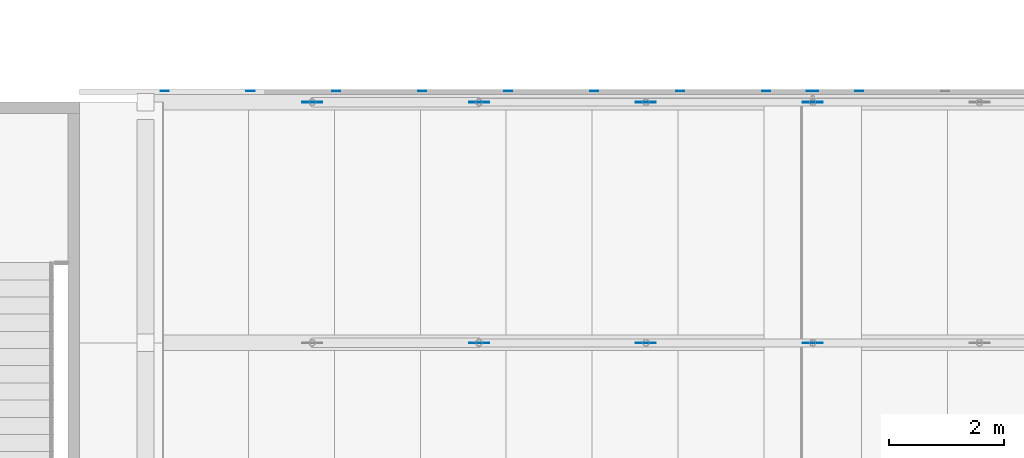
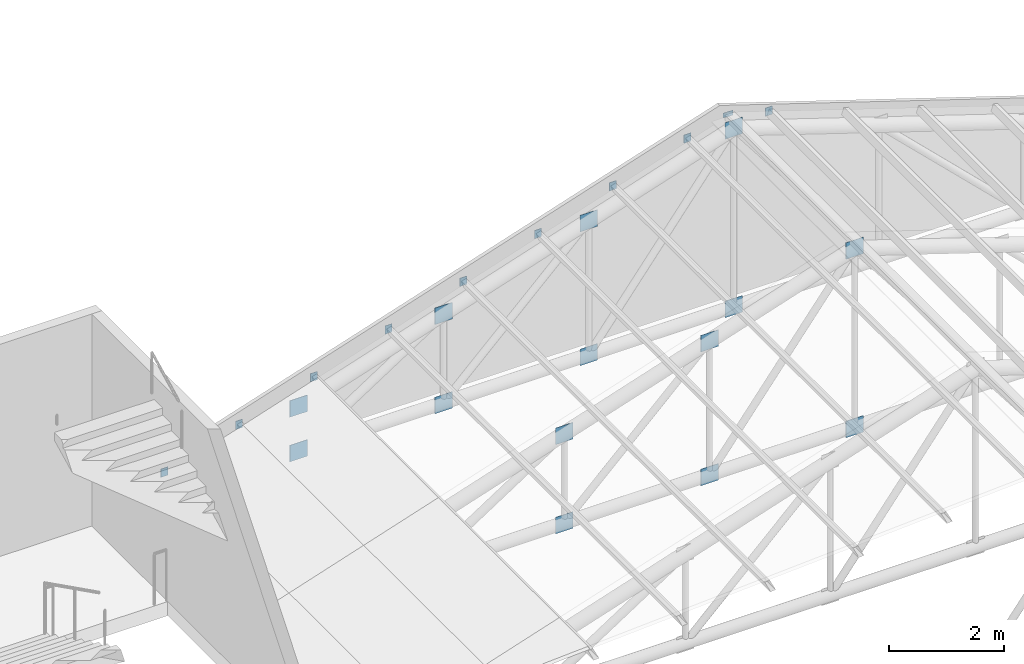
# One storey, part 78 of 95: 24 plates.
"""IFC4 building model written with IfcOpenShell, lengths in metres."""

from ifc_helpers import new_model, si_unit, direction, frame, origin, origin_2d, place, context, subcontext, project, spatial, rectangle, extrude, material, layer, layer_set, type_object, element, save


model = new_model("IFC4")

# Units and contexts
model_context = context("Model", 3, precision=1e-05, world=origin(), true_north=direction((0.0, 1.0)))
body_context = subcontext(model_context, "Body", "Model", "MODEL_VIEW")
ifc_project = project(units=[si_unit("LENGTHUNIT", "METRE"), si_unit("AREAUNIT", "SQUARE_METRE"), si_unit("VOLUMEUNIT", "CUBIC_METRE"), si_unit("PLANEANGLEUNIT", "RADIAN"), si_unit("MASSUNIT", "GRAM", prefix="KILO")], contexts=[model_context])

# Site, building, storey
site_placement = place(None, origin())
site = spatial("IfcSite", under=ifc_project, at=site_placement, CompositionType="ELEMENT")
building_placement = place(site_placement, origin())
building = spatial("IfcBuilding", under=site, at=building_placement, Name="Kiln Court Media Centre", CompositionType="ELEMENT")
storey_placement = place(building_placement, frame((0.0, 0.0, 24.60009765625)))
storey = spatial("IfcBuildingStorey", under=building, at=storey_placement, Name="L05", CompositionType="ELEMENT", Elevation=24.60009765625)

# Plates
ifc_material_1 = material(Name="Steel ASTM A572 Gr 50", Category="steel")
ifc_layer_1 = layer(ifc_material_1, 0.011962890625)
ifc_layer_set_1 = layer_set([ifc_layer_1], Name="Steel ASTM A572 Gr 50 141x12x174 connection plate")
plate_type_1 = type_object("IfcPlateType", Name="Steel ASTM A572 Gr 50 141x12x174 connection plate", PredefinedType="USERDEFINED", material=ifc_layer_set_1)
for number, where, z_axis, x_axis, name in (
    (1, (35.085205078125, 67.3984375, 0.228515625), (0.0, 0.0, 1.0), (1.0, 0.0, 0.0), "foyer roof west purlin 1 north end connection plate"),
    (2, (36.585205078125, 67.3984375, 0.7158203125), (0.0, 0.0, 1.0), (1.0, 0.0, 0.0), "foyer roof west purlin 2 north end connection plate"),
    (3, (38.085205078125, 67.3984375, 1.203125), (0.0, 0.0, 1.0), (1.0, 0.0, 0.0), "foyer roof west purlin 3 north end connection plate"),
    (4, (39.585205078125, 67.3984375, 1.6904296875), (0.0, 0.0, 1.0), (1.0, 0.0, 0.0), "foyer roof west purlin 4 north end connection plate"),
    (5, (41.085205078125, 67.3984375, 2.177734375), (0.0, 0.0, 1.0), (1.0, 0.0, 0.0), "foyer roof west purlin 5 north end connection plate"),
    (6, (42.585205078125, 67.3984375, 2.6650390625), (0.0, 0.0, 1.0), (1.0, 0.0, 0.0), "foyer roof west purlin 6 north end connection plate"),
    (7, (44.085205078125, 67.3984375, 3.15234375), (0.0, 0.0, 1.0), (1.0, 0.0, 0.0), "foyer roof west purlin 7 north end connection plate"),
    (8, (45.585205078125, 67.3984375, 3.64013671875), (0.0, 0.0, 1.0), (1.0, 0.0, 0.0), "foyer roof west purlin 8 north end connection plate"),
    (9, (47.214599609375, 67.3984375, 3.64013671875), (0.0, 0.0, 1.0), (1.0, 0.0, 0.0), "foyer roof east purlin 8 north end connection plate"),
):
    element("IfcPlate", number, at=place(storey_placement, frame(where, z_axis=z_axis, x_axis=x_axis)), inside=storey, type_object=plate_type_1, Name=name, ObjectType="CONNECTION PLATE", PredefinedType="USERDEFINED", context=body_context, shape_type="SweptSolid", body=[
        extrude(rectangle(XDim=0.14111328125, YDim=0.011962890625, at=origin_2d()), origin(), (0.0, 0.0, 1.0), 0.174072265625),
    ])
ifc_material_2 = material(Name="Steel ASTM A572 Gr 50", Category="steel")
ifc_layer_2 = layer(ifc_material_2, 0.011962890625)
ifc_layer_set_2 = layer_set([ifc_layer_2], Name="Steel ASTM A572 Gr 50 200x12x100 connection plate")
plate_type_2 = type_object("IfcPlateType", Name="Steel ASTM A572 Gr 50 200x12x100 connection plate", PredefinedType="USERDEFINED", material=ifc_layer_set_2)
plate_placement = place(storey_placement, frame((46.39990234375, 67.3984375, 3.899169921875), z_axis=(0.0, 0.0, 1.0), x_axis=(1.0, 0.0, 0.0)))
element("IfcPlate", 10, at=plate_placement, inside=storey, type_object=plate_type_2, Name="foyer roof ridge purlin north end connection plate", ObjectType="CONNECTION PLATE", PredefinedType="USERDEFINED", context=body_context, shape_type="SweptSolid", body=[
    extrude(rectangle(XDim=0.199951171875, YDim=0.011962890625, at=origin_2d()), origin(), (0.0, 0.0, 1.0), 0.10009765625),
])
ifc_material_3 = material(Name="Steel ASTM A572 Gr 50", Category="steel")
ifc_layer_3 = layer(ifc_material_3, 0.010009765625)
ifc_layer_set_3 = layer_set([ifc_layer_3], Name="Steel ASTM A572 Gr 50 350x350x10 connection plate FT")
plate_type_3 = type_object("IfcPlateType", Name="Steel ASTM A572 Gr 50 350x350x10 connection plate FT", PredefinedType="USERDEFINED", material=ifc_layer_set_3)
for number, where, z_axis, x_axis, name in (
    (11, (37.66259765625, 67.199951171875, -0.18896484375), (0.0, 0.0, 1.0), (1.0, 0.0, 0.0), "FT node connection plate"),
    (12, (37.66259765625, 67.199951171875, 0.757568359375), (0.0, 0.0, 1.0), (1.0, 0.0, 0.0), "FT node connection plate"),
    (13, (40.574951171875, 63.0, -0.18896484375), (0.0, 0.0, 1.0), (1.0, 0.0, 0.0), "FT node connection plate"),
    (14, (40.574951171875, 63.0, 1.703857421875), (0.0, 0.0, 1.0), (1.0, 0.0, 0.0), "FT node connection plate"),
    (15, (40.574951171875, 67.199951171875, -0.18896484375), (0.0, 0.0, 1.0), (1.0, 0.0, 0.0), "FT node connection plate"),
    (16, (40.574951171875, 67.199951171875, 1.703857421875), (0.0, 0.0, 1.0), (1.0, 0.0, 0.0), "FT node connection plate"),
    (17, (43.487548828125, 63.0, -0.18896484375), (0.0, 0.0, 1.0), (1.0, 0.0, 0.0), "FT node connection plate"),
    (18, (43.487548828125, 63.0, 2.650146484375), (0.0, 0.0, 1.0), (1.0, 0.0, 0.0), "FT node connection plate"),
    (19, (43.487548828125, 67.199951171875, -0.18896484375), (0.0, 0.0, 1.0), (1.0, 0.0, 0.0), "FT node connection plate"),
    (20, (43.487548828125, 67.199951171875, 2.650146484375), (0.0, 0.0, 1.0), (1.0, 0.0, 0.0), "FT node connection plate"),
    (21, (46.39990234375, 63.0, -0.18896484375), (0.0, 0.0, 1.0), (1.0, 0.0, 0.0), "FT node connection plate"),
    (22, (46.39990234375, 63.0, 3.596435546875), (0.0, 0.0, 1.0), (1.0, 0.0, 0.0), "FT node connection plate"),
    (23, (46.39990234375, 67.199951171875, -0.18896484375), (0.0, 0.0, 1.0), (1.0, 0.0, 0.0), "FT node connection plate"),
    (24, (46.39990234375, 67.199951171875, 3.596435546875), (0.0, 0.0, 1.0), (1.0, 0.0, 0.0), "FT node connection plate"),
):
    element("IfcPlate", number, at=place(storey_placement, frame(where, z_axis=z_axis, x_axis=x_axis)), inside=storey, type_object=plate_type_3, Name=name, ObjectType="CONNECTION PLATE", PredefinedType="USERDEFINED", context=body_context, shape_type="SweptSolid", body=[
        extrude(rectangle(XDim=0.35009765625, YDim=0.010009765625, at=origin_2d()), origin(), (0.0, 0.0, 1.0), 0.35009765625),
    ])

save(model, "model.ifc")
